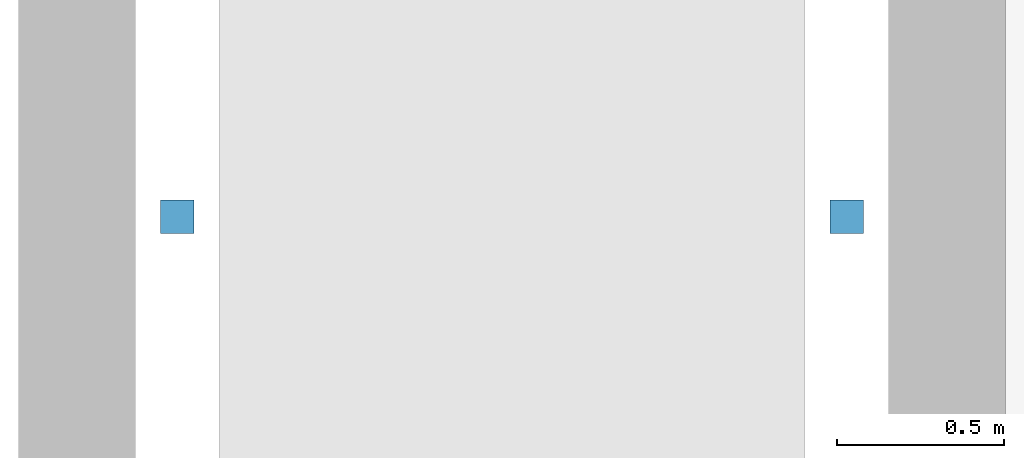
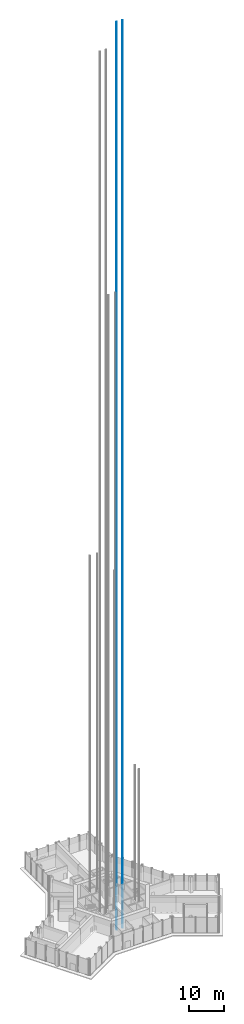
# One storey, part 16 of 18: 1 discrete accessory.
"""IFC4 building model written with IfcOpenShell, lengths in metres."""

from ifc_helpers import new_model, si_unit, direction, frame, origin, origin_2d, place, context, subcontext, project, spatial, rectangle, extrude, material, type_object, element, save


model = new_model("IFC4")

# Units and contexts
model_context = context("Model", 3, precision=1e-05, world=origin(), true_north=direction((0.0, 1.0)))
body_context = subcontext(model_context, "Body", "Model", "MODEL_VIEW")
ifc_project = project(units=[si_unit("LENGTHUNIT", "METRE"), si_unit("AREAUNIT", "SQUARE_METRE"), si_unit("VOLUMEUNIT", "CUBIC_METRE"), si_unit("PLANEANGLEUNIT", "RADIAN"), si_unit("MASSUNIT", "GRAM", prefix="KILO")], contexts=[model_context])

# Site, building, storey
site_placement = place(None, origin())
site = spatial("IfcSite", under=ifc_project, at=site_placement, CompositionType="ELEMENT")
building_placement = place(site_placement, origin())
building = spatial("IfcBuilding", under=site, at=building_placement, Name="Kasaneha Research Tower", CompositionType="ELEMENT")
storey_placement = place(building_placement, origin())
storey = spatial("IfcBuildingStorey", under=building, at=storey_placement, Name="L01", CompositionType="ELEMENT", Elevation=0.0)

# Discrete accessory
ifc_material = material(Name="Steel SN400B", Category="steel")
discrete_accessory_type = type_object("IfcDiscreteAccessoryType", Name="Lift guide rail 100x100", PredefinedType="USERDEFINED", material=ifc_material)
discrete_accessory_placement = place(storey_placement, origin())
element("IfcDiscreteAccessory", 1, at=discrete_accessory_placement, inside=storey, type_object=discrete_accessory_type, Name="Lift FL1 guide rails", ObjectType="GUIDE RAIL", PredefinedType="USERDEFINED", context=body_context, shape_type="SweptSolid", body=[
    extrude(rectangle(XDim=0.10009765625, YDim=0.10009765625, at=origin_2d()), frame((4.800048828125, 5.300048828125, -11.050048828125)), (0.0, 0.0, 1.0), 318.25),
    extrude(rectangle(XDim=0.10009765625, YDim=0.10009765625, at=origin_2d()), frame((6.800048828125, 5.300048828125, -11.050048828125)), (0.0, 0.0, 1.0), 318.25),
])

save(model, "model.ifc")
